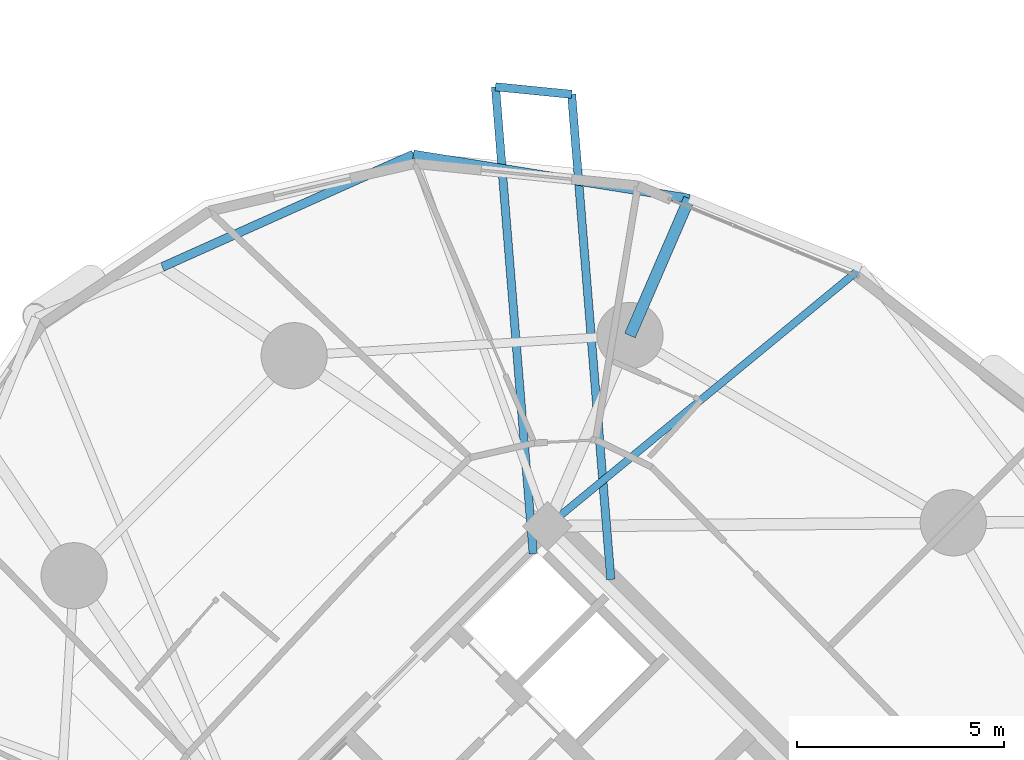
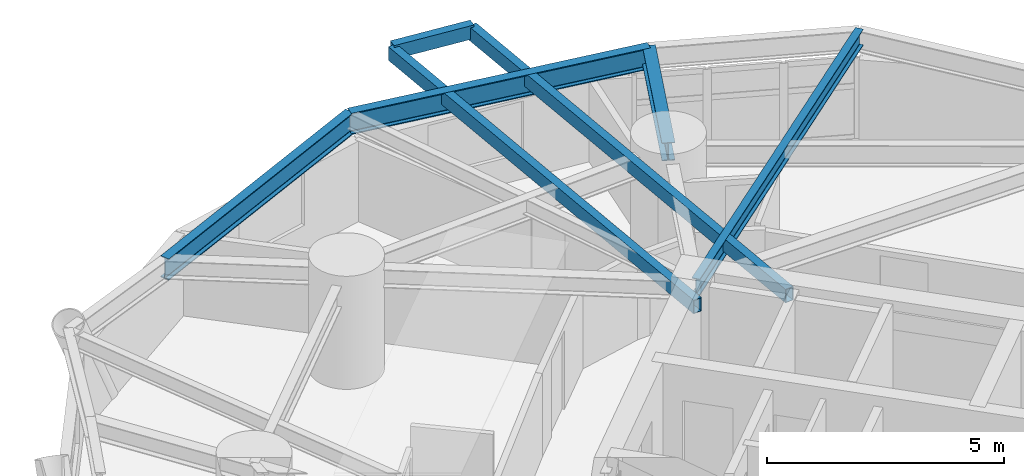
# One storey, part 6 of 18: 7 beams.
"""IFC4 building model written with IfcOpenShell, lengths in metres."""

from ifc_helpers import new_model, si_unit, direction, frame, origin, origin_2d, place, context, subcontext, project, spatial, hollow_rectangle, i_section, extrude, material, material_profile, profile_set, type_object, element, save


model = new_model("IFC4")

# Units and contexts
model_context = context("Model", 3, precision=1e-05, world=origin(), true_north=direction((0.0, 1.0)))
body_context = subcontext(model_context, "Body", "Model", "MODEL_VIEW")
ifc_project = project(units=[si_unit("LENGTHUNIT", "METRE"), si_unit("AREAUNIT", "SQUARE_METRE"), si_unit("VOLUMEUNIT", "CUBIC_METRE"), si_unit("PLANEANGLEUNIT", "RADIAN"), si_unit("MASSUNIT", "GRAM", prefix="KILO")], contexts=[model_context])

# Site, building, storey
site_placement = place(None, origin())
site = spatial("IfcSite", under=ifc_project, at=site_placement, CompositionType="ELEMENT")
building_placement = place(site_placement, origin())
building = spatial("IfcBuilding", under=site, at=building_placement, Name="Cununo Teusaquillo Station Towers", CompositionType="ELEMENT")
storey_placement = place(building_placement, frame((0.0, 0.0, 36.550048828125)))
storey = spatial("IfcBuildingStorey", under=building, at=storey_placement, Name="L10", CompositionType="ELEMENT", Elevation=36.550048828125)

# Beams
ifc_material_1 = material(Name="Steel EN 10025-2 S355J2", Category="steel")
ifc_material_profile_1 = material_profile(ifc_material_1, hollow_rectangle(XDim=0.199951171875, YDim=0.35009765625, WallThickness=0.013916015625, at=origin_2d()), Name="RHS 350x200x14")
ifc_profile_set_1 = profile_set([ifc_material_profile_1], Name="Steel EN 10025-2 S355J2")
beam_type_1 = type_object("IfcBeamType", Name="BM-BAL-CANT", PredefinedType="BEAM", material=ifc_profile_set_1)
beam_1_placement = place(storey_placement, frame((57.828369140625, 31.73779296875, 2.474853515625), z_axis=(-0.080548444941, 0.996750695017, 0.0), x_axis=(-0.996750695017, -0.080548444941, 0.0)))
element("IfcBeam", 1, at=beam_1_placement, inside=storey, type_object=beam_type_1, Name="L10 Tower B Balcony Cantilever Bracket 1A", PredefinedType="BEAM", context=body_context, shape_type="SweptSolid", body=[
    extrude(hollow_rectangle(XDim=0.199951171875, YDim=0.35009765625, WallThickness=0.013916015625, at=origin_2d()), origin(), (0.0, 0.0, 1.0), 11.766357421875),
])
beam_2_placement = place(storey_placement, frame((55.951904296875, 32.3564453125, 2.474853515625), z_axis=(-0.080535797419, 0.996751716996, 0.0), x_axis=(-0.996751716996, -0.080535797419, 0.0)))
element("IfcBeam", 2, at=beam_2_placement, inside=storey, type_object=beam_type_1, Name="L10 Tower B Balcony Cantilever Bracket 1B", PredefinedType="BEAM", context=body_context, shape_type="SweptSolid", body=[
    extrude(hollow_rectangle(XDim=0.199951171875, YDim=0.35009765625, WallThickness=0.013916015625, at=origin_2d()), origin(), (0.0, 0.0, 1.0), 11.32861328125),
])
ifc_material_2 = material(Name="Steel ASTM A572 Grade 50", Category="steel")
ifc_material_profile_2 = material_profile(ifc_material_2, i_section(OverallWidth=0.180908203125, OverallDepth=0.4169921875, WebThickness=0.010986328125, FlangeThickness=0.018310546875, FilletRadius=0.012939453125, at=origin_2d()), Name="W16X57")
ifc_profile_set_2 = profile_set([ifc_material_profile_2], Name="Steel ASTM A572 Grade 50")
beam_type_2 = type_object("IfcBeamType", Name="BM-JOIST-1", PredefinedType="JOIST", material=ifc_profile_set_2)
beam_3_placement = place(storey_placement, frame((56.29443359375, 33.024169921875, 2.44140625), z_axis=(0.772192093976, 0.635389148475, 0.0), x_axis=(-0.635389148475, 0.772192093976, 0.0)))
element("IfcBeam", 3, at=beam_3_placement, inside=storey, type_object=beam_type_2, Name="L10 Tower B Radial Spandrel Joist V01", PredefinedType="JOIST", context=body_context, shape_type="SweptSolid", body=[
    extrude(i_section(OverallWidth=0.180908203125, OverallDepth=0.4169921875, WebThickness=0.010986328125, FlangeThickness=0.018310546875, FilletRadius=0.012939453125, at=origin_2d()), origin(), (0.0, 0.0, 1.0), 9.82080078125),
])
ifc_material_3 = material(Name="Steel ASTM A572 Grade 50", Category="steel")
ifc_material_profile_3 = material_profile(ifc_material_3, i_section(OverallWidth=0.280029296875, OverallDepth=0.462890625, WebThickness=0.0107421875, FlangeThickness=0.017333984375, FilletRadius=0.013916015625, at=origin_2d()), Name="W18X76")
ifc_profile_set_3 = profile_set([ifc_material_profile_3], Name="Steel ASTM A572 Grade 50")
beam_type_3 = type_object("IfcBeamType", Name="BM-RAD-G1", PredefinedType="BEAM", material=ifc_profile_set_3)
beam_4_placement = place(storey_placement, frame((58.291015625, 37.63525390625, 2.41845703125), z_axis=(0.397396574727, 0.91764697046, 0.0), x_axis=(-0.91764697046, 0.397396574727, 0.0)))
element("IfcBeam", 4, at=beam_4_placement, inside=storey, type_object=beam_type_3, Name="L10 Tower B Perimeter Overhang Girder 02B", PredefinedType="BEAM", context=body_context, shape_type="SweptSolid", body=[
    extrude(i_section(OverallWidth=0.280029296875, OverallDepth=0.462890625, WebThickness=0.0107421875, FlangeThickness=0.017333984375, FilletRadius=0.013916015625, at=origin_2d()), origin(), (0.0, 0.0, 1.0), 3.60693359375),
])
ifc_material_4 = material(Name="Steel ASTM A572 Grade 50", Category="steel")
ifc_material_profile_4 = material_profile(ifc_material_4, i_section(OverallWidth=0.214111328125, OverallDepth=0.549072265625, WebThickness=0.0146484375, FlangeThickness=0.023681640625, FilletRadius=0.014892578125, at=origin_2d()), Name="W21X93")
ifc_profile_set_4 = profile_set([ifc_material_profile_4], Name="Steel ASTM A572 Grade 50")
beam_type_4 = type_object("IfcBeamType", Name="BM-RING-Z1", PredefinedType="SPANDREL", material=ifc_profile_set_4)
beam_5_placement = place(storey_placement, frame((59.724365234375, 40.945068359375, 2.37548828125), z_axis=(-0.987466335344, 0.157829770834, 0.0), x_axis=(-0.157829770834, -0.987466335344, 0.0)))
element("IfcBeam", 5, at=beam_5_placement, inside=storey, type_object=beam_type_4, Name="L10 Tower B Spandrel Ring Beam 03", PredefinedType="SPANDREL", context=body_context, shape_type="SweptSolid", body=[
    extrude(i_section(OverallWidth=0.214111328125, OverallDepth=0.549072265625, WebThickness=0.0146484375, FlangeThickness=0.023681640625, FilletRadius=0.014892578125, at=origin_2d()), origin(), (0.0, 0.0, 1.0), 6.753662109375),
])
beam_6_placement = place(storey_placement, frame((53.055419921875, 42.010986328125, 2.37548828125), z_axis=(-0.912588695836, -0.408878798951, 0.0), x_axis=(0.408878798951, -0.912588695836, 0.0)))
element("IfcBeam", 6, at=beam_6_placement, inside=storey, type_object=beam_type_4, Name="L10 Tower B Spandrel Ring Beam 04", PredefinedType="SPANDREL", context=body_context, shape_type="SweptSolid", body=[
    extrude(i_section(OverallWidth=0.214111328125, OverallDepth=0.549072265625, WebThickness=0.0146484375, FlangeThickness=0.023681640625, FilletRadius=0.014892578125, at=origin_2d()), origin(), (0.0, 0.0, 1.0), 6.64990234375),
])
ifc_material_5 = material(Name="Steel EN 10025-2 S355J2", Category="steel")
ifc_material_profile_5 = material_profile(ifc_material_5, hollow_rectangle(XDim=0.199951171875, YDim=0.35009765625, WallThickness=0.013916015625, at=origin_2d()), Name="RHS 350x200x14")
ifc_profile_set_5 = profile_set([ifc_material_profile_5], Name="Steel EN 10025-2 S355J2")
beam_type_5 = type_object("IfcBeamType", Name="BM-STAIR-TRIM", PredefinedType="BEAM", material=ifc_profile_set_5)
beam_7_placement = place(storey_placement, frame((56.880615234375, 43.4658203125, 2.52490234375), z_axis=(-0.995129523537, 0.098576018311, 0.0), x_axis=(-0.098576018311, -0.995129523537, 0.0)))
element("IfcBeam", 7, at=beam_7_placement, inside=storey, type_object=beam_type_5, Name="L10 Tower B Balcony Edge Trimmer Beam 1", PredefinedType="BEAM", context=body_context, shape_type="SweptSolid", body=[
    extrude(hollow_rectangle(XDim=0.199951171875, YDim=0.35009765625, WallThickness=0.013916015625, at=origin_2d()), origin(), (0.0, 0.0, 1.0), 1.85009765625),
])

save(model, "model.ifc")
